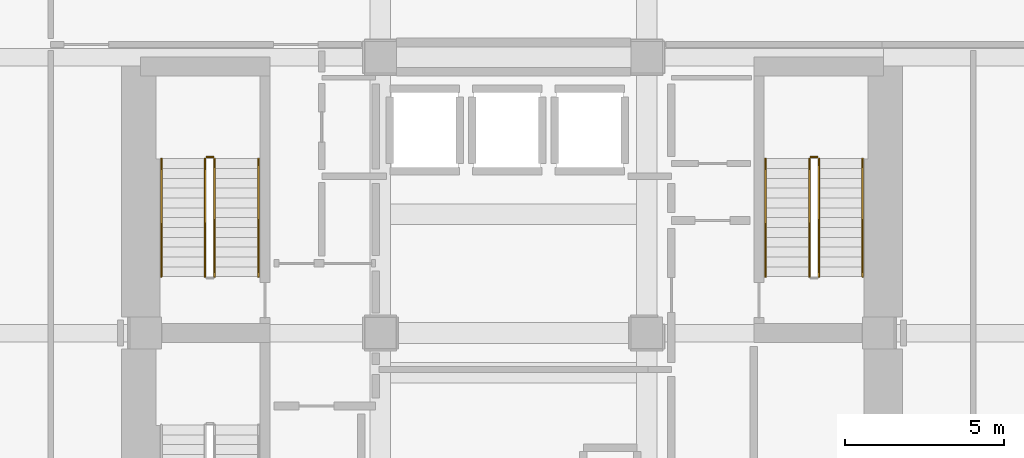
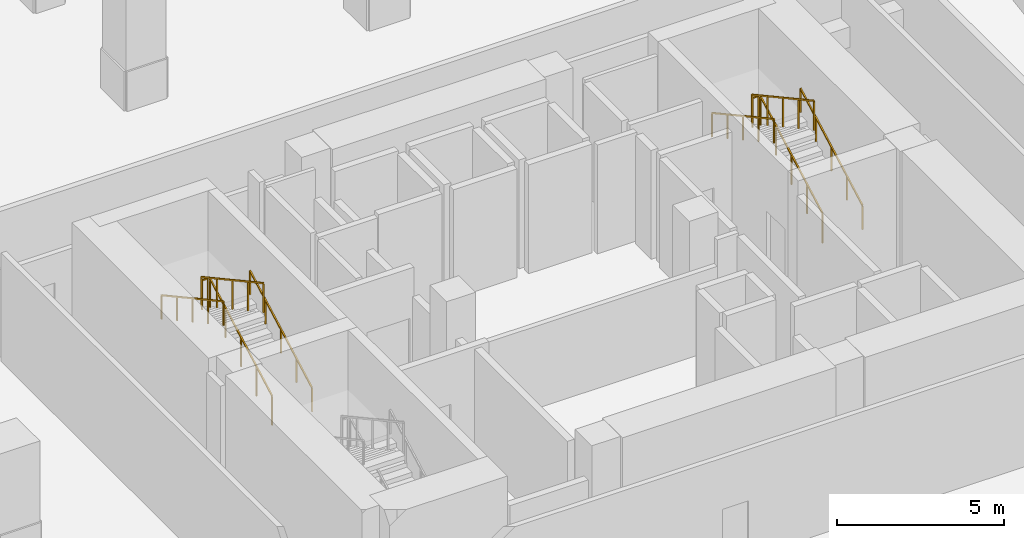
# One storey, part 21 of 22: 10 railings.
"""IFC4 building model written with IfcOpenShell, lengths in metres."""

from ifc_helpers import new_model, si_unit, direction, frame, origin, origin_2d, place, context, subcontext, project, spatial, rectangle, extrude, material, type_object, element, save


model = new_model("IFC4")

# Units and contexts
model_context = context("Model", 3, precision=1e-05, world=origin(), true_north=direction((0.0, 1.0)))
body_context = subcontext(model_context, "Body", "Model", "MODEL_VIEW")
ifc_project = project(units=[si_unit("LENGTHUNIT", "METRE"), si_unit("AREAUNIT", "SQUARE_METRE"), si_unit("VOLUMEUNIT", "CUBIC_METRE"), si_unit("PLANEANGLEUNIT", "RADIAN"), si_unit("MASSUNIT", "GRAM", prefix="KILO")], contexts=[model_context])

# Site, building, storey
site_placement = place(None, origin())
site = spatial("IfcSite", under=ifc_project, at=site_placement, CompositionType="ELEMENT")
building_placement = place(site_placement, origin())
building = spatial("IfcBuilding", under=site, at=building_placement, Name="Solanera Arch Residences", CompositionType="ELEMENT")
storey_placement = place(building_placement, frame((0.0, 0.0, -4.39990234375)))
storey = spatial("IfcBuildingStorey", under=building, at=storey_placement, Name="B01", CompositionType="ELEMENT", Elevation=-4.39990234375)

# Railings
ifc_material_1 = material(Name="Steel S355 (ASTM A992 / A572 Grade 50)", Category="steel")
railing_type_1 = type_object("IfcRailingType", Name="Stair Guardrail GR-1100", PredefinedType="GUARDRAIL", material=ifc_material_1)
railing_1_placement = place(storey_placement, frame((15.570068359375, 32.47998046875, 0.154052734375)))
element("IfcRailing", 1, at=railing_1_placement, inside=storey, type_object=railing_type_1, Name="B01 ST-T1 stair guard 1", PredefinedType="GUARDRAIL", context=body_context, shape_type="SweptSolid", body=[
    extrude(rectangle(XDim=0.048095703125, YDim=0.048095703125, at=origin_2d()), frame((0.0, 0.0, 1.076171875), z_axis=(0.0, 0.877728207833, 0.479158839191), x_axis=(-1.0, 0.0, 0.0)), (0.0, 0.0, 1.0), 4.23828125),
    extrude(rectangle(XDim=0.0419921875, YDim=0.0419921875, at=origin_2d()), origin(), (0.0, 0.0, 1.0), 1.052001953125),
    extrude(rectangle(XDim=0.0419921875, YDim=0.0419921875, at=origin_2d()), frame((0.0, 0.929931640625, 0.5078125)), (0.0, 0.0, 1.0), 1.052001953125),
    extrude(rectangle(XDim=0.0419921875, YDim=0.0419921875, at=origin_2d()), frame((0.0, 1.85986328125, 1.015380859375)), (0.0, 0.0, 1.0), 1.052001953125),
    extrude(rectangle(XDim=0.0419921875, YDim=0.0419921875, at=origin_2d()), frame((0.0, 2.7900390625, 1.52294921875)), (0.0, 0.0, 1.0), 1.052001953125),
    extrude(rectangle(XDim=0.0419921875, YDim=0.0419921875, at=origin_2d()), frame((0.0, 3.719970703125, 2.03076171875)), (0.0, 0.0, 1.0), 1.052001953125),
])
railing_2_placement = place(storey_placement, frame((15.52001953125, 36.25, 2.184814453125)))
element("IfcRailing", 2, at=railing_2_placement, inside=storey, type_object=railing_type_1, Name="B01 ST-T1 stair guard 2", PredefinedType="GUARDRAIL", context=body_context, shape_type="SweptSolid", body=[
    extrude(rectangle(XDim=0.048095703125, YDim=0.048095703125, at=origin_2d()), frame((0.0, 0.0, 1.076171875), z_axis=(-1.0, 0.0, 0.0), x_axis=(0.0, -1.0, 0.0)), (0.0, 0.0, 1.0), 0.199951171875),
    extrude(rectangle(XDim=0.0419921875, YDim=0.0419921875, at=origin_2d()), origin(), (0.0, 0.0, 1.0), 1.052001953125),
    extrude(rectangle(XDim=0.0419921875, YDim=0.0419921875, at=origin_2d()), frame((-0.199951171875, 0.0, 0.0)), (0.0, 0.0, 1.0), 1.052001953125),
])
railing_3_placement = place(storey_placement, frame((15.27001953125, 36.199951171875, 2.35400390625)))
element("IfcRailing", 3, at=railing_3_placement, inside=storey, type_object=railing_type_1, Name="B01 ST-T1 stair guard 3", PredefinedType="GUARDRAIL", context=body_context, shape_type="SweptSolid", body=[
    extrude(rectangle(XDim=0.048095703125, YDim=0.048095703125, at=origin_2d()), frame((0.0, 0.0, 1.076171875), z_axis=(0.0, -0.877703980351, 0.479203216679), x_axis=(1.0, 0.0, 0.0)), (0.0, 0.0, 1.0), 4.23828125),
    extrude(rectangle(XDim=0.0419921875, YDim=0.0419921875, at=origin_2d()), origin(), (0.0, 0.0, 1.0), 1.052001953125),
    extrude(rectangle(XDim=0.0419921875, YDim=0.0419921875, at=origin_2d()), frame((0.0, -0.929931640625, 0.5078125)), (0.0, 0.0, 1.0), 1.052001953125),
    extrude(rectangle(XDim=0.0419921875, YDim=0.0419921875, at=origin_2d()), frame((0.0, -1.85986328125, 1.015625)), (0.0, 0.0, 1.0), 1.052001953125),
    extrude(rectangle(XDim=0.0419921875, YDim=0.0419921875, at=origin_2d()), frame((0.0, -2.7900390625, 1.523193359375)), (0.0, 0.0, 1.0), 1.052001953125),
    extrude(rectangle(XDim=0.0419921875, YDim=0.0419921875, at=origin_2d()), frame((0.0, -3.719970703125, 2.031005859375)), (0.0, 0.0, 1.0), 1.052001953125),
])
railing_4_placement = place(storey_placement, frame((34.6298828125, 32.47998046875, 0.154052734375)))
element("IfcRailing", 4, at=railing_4_placement, inside=storey, type_object=railing_type_1, Name="B01 ST-T2 stair guard 1", PredefinedType="GUARDRAIL", context=body_context, shape_type="SweptSolid", body=[
    extrude(rectangle(XDim=0.048095703125, YDim=0.048095703125, at=origin_2d()), frame((0.0, 0.0, 1.076171875), z_axis=(0.0, 0.877728207833, 0.479158839191), x_axis=(-1.0, 0.0, 0.0)), (0.0, 0.0, 1.0), 4.23828125),
    extrude(rectangle(XDim=0.0419921875, YDim=0.0419921875, at=origin_2d()), origin(), (0.0, 0.0, 1.0), 1.052001953125),
    extrude(rectangle(XDim=0.0419921875, YDim=0.0419921875, at=origin_2d()), frame((0.0, 0.929931640625, 0.5078125)), (0.0, 0.0, 1.0), 1.052001953125),
    extrude(rectangle(XDim=0.0419921875, YDim=0.0419921875, at=origin_2d()), frame((0.0, 1.85986328125, 1.015380859375)), (0.0, 0.0, 1.0), 1.052001953125),
    extrude(rectangle(XDim=0.0419921875, YDim=0.0419921875, at=origin_2d()), frame((0.0, 2.7900390625, 1.52294921875)), (0.0, 0.0, 1.0), 1.052001953125),
    extrude(rectangle(XDim=0.0419921875, YDim=0.0419921875, at=origin_2d()), frame((0.0, 3.719970703125, 2.03076171875)), (0.0, 0.0, 1.0), 1.052001953125),
])
railing_5_placement = place(storey_placement, frame((34.580078125, 36.25, 2.184814453125)))
element("IfcRailing", 5, at=railing_5_placement, inside=storey, type_object=railing_type_1, Name="B01 ST-T2 stair guard 2", PredefinedType="GUARDRAIL", context=body_context, shape_type="SweptSolid", body=[
    extrude(rectangle(XDim=0.048095703125, YDim=0.048095703125, at=origin_2d()), frame((0.0, 0.0, 1.076171875), z_axis=(-1.0, 0.0, 0.0), x_axis=(0.0, -1.0, 0.0)), (0.0, 0.0, 1.0), 0.2001953125),
    extrude(rectangle(XDim=0.0419921875, YDim=0.0419921875, at=origin_2d()), origin(), (0.0, 0.0, 1.0), 1.052001953125),
    extrude(rectangle(XDim=0.0419921875, YDim=0.0419921875, at=origin_2d()), frame((-0.2001953125, 0.0, 0.0)), (0.0, 0.0, 1.0), 1.052001953125),
])
railing_6_placement = place(storey_placement, frame((34.330078125, 36.199951171875, 2.35400390625)))
element("IfcRailing", 6, at=railing_6_placement, inside=storey, type_object=railing_type_1, Name="B01 ST-T2 stair guard 3", PredefinedType="GUARDRAIL", context=body_context, shape_type="SweptSolid", body=[
    extrude(rectangle(XDim=0.048095703125, YDim=0.048095703125, at=origin_2d()), frame((0.0, 0.0, 1.076171875), z_axis=(0.0, -0.877703980351, 0.479203216679), x_axis=(1.0, 0.0, 0.0)), (0.0, 0.0, 1.0), 4.23828125),
    extrude(rectangle(XDim=0.0419921875, YDim=0.0419921875, at=origin_2d()), origin(), (0.0, 0.0, 1.0), 1.052001953125),
    extrude(rectangle(XDim=0.0419921875, YDim=0.0419921875, at=origin_2d()), frame((0.0, -0.929931640625, 0.5078125)), (0.0, 0.0, 1.0), 1.052001953125),
    extrude(rectangle(XDim=0.0419921875, YDim=0.0419921875, at=origin_2d()), frame((0.0, -1.85986328125, 1.015625)), (0.0, 0.0, 1.0), 1.052001953125),
    extrude(rectangle(XDim=0.0419921875, YDim=0.0419921875, at=origin_2d()), frame((0.0, -2.7900390625, 1.523193359375)), (0.0, 0.0, 1.0), 1.052001953125),
    extrude(rectangle(XDim=0.0419921875, YDim=0.0419921875, at=origin_2d()), frame((0.0, -3.719970703125, 2.031005859375)), (0.0, 0.0, 1.0), 1.052001953125),
])
ifc_material_2 = material(Name="Steel S355 (ASTM A992 / A572 Grade 50)", Category="steel")
railing_type_2 = type_object("IfcRailingType", Name="Stair Wall Handrail HR-920", PredefinedType="HANDRAIL", material=ifc_material_2)
railing_7_placement = place(storey_placement, frame((16.949951171875, 32.47998046875, 0.169189453125)))
element("IfcRailing", 7, at=railing_7_placement, inside=storey, type_object=railing_type_2, Name="B01 ST-T1 stair handrail 1", PredefinedType="HANDRAIL", context=body_context, shape_type="SweptSolid", body=[
    extrude(rectangle(XDim=0.048095703125, YDim=0.048095703125, at=origin_2d()), frame((0.0, 0.0, 0.8759765625), z_axis=(0.0, 0.877728207833, 0.479158839191), x_axis=(-1.0, 0.0, 0.0)), (0.0, 0.0, 1.0), 4.23828125),
    extrude(rectangle(XDim=0.0419921875, YDim=0.0419921875, at=origin_2d()), origin(), (0.0, 0.0, 1.0), 0.851806640625),
    extrude(rectangle(XDim=0.0419921875, YDim=0.0419921875, at=origin_2d()), frame((0.0, 0.929931640625, 0.5078125)), (0.0, 0.0, 1.0), 0.851806640625),
    extrude(rectangle(XDim=0.0419921875, YDim=0.0419921875, at=origin_2d()), frame((0.0, 1.85986328125, 1.015380859375)), (0.0, 0.0, 1.0), 0.851806640625),
    extrude(rectangle(XDim=0.0419921875, YDim=0.0419921875, at=origin_2d()), frame((0.0, 2.7900390625, 1.52294921875)), (0.0, 0.0, 1.0), 0.851806640625),
    extrude(rectangle(XDim=0.0419921875, YDim=0.0419921875, at=origin_2d()), frame((0.0, 3.719970703125, 2.03076171875)), (0.0, 0.0, 1.0), 0.851806640625),
])
railing_8_placement = place(storey_placement, frame((13.889892578125, 36.199951171875, 2.369140625)))
element("IfcRailing", 8, at=railing_8_placement, inside=storey, type_object=railing_type_2, Name="B01 ST-T1 stair handrail 2", PredefinedType="HANDRAIL", context=body_context, shape_type="SweptSolid", body=[
    extrude(rectangle(XDim=0.048095703125, YDim=0.048095703125, at=origin_2d()), frame((0.0, 0.0, 0.8759765625), z_axis=(0.0, -0.877728207833, 0.479158839191), x_axis=(1.0, 0.0, 0.0)), (0.0, 0.0, 1.0), 4.23828125),
    extrude(rectangle(XDim=0.0419921875, YDim=0.0419921875, at=origin_2d()), origin(), (0.0, 0.0, 1.0), 0.851806640625),
    extrude(rectangle(XDim=0.0419921875, YDim=0.0419921875, at=origin_2d()), frame((0.0, -0.929931640625, 0.5078125)), (0.0, 0.0, 1.0), 0.851806640625),
    extrude(rectangle(XDim=0.0419921875, YDim=0.0419921875, at=origin_2d()), frame((0.0, -1.85986328125, 1.015380859375)), (0.0, 0.0, 1.0), 0.851806640625),
    extrude(rectangle(XDim=0.0419921875, YDim=0.0419921875, at=origin_2d()), frame((0.0, -2.7900390625, 1.52294921875)), (0.0, 0.0, 1.0), 0.851806640625),
    extrude(rectangle(XDim=0.0419921875, YDim=0.0419921875, at=origin_2d()), frame((0.0, -3.719970703125, 2.03076171875)), (0.0, 0.0, 1.0), 0.851806640625),
])
railing_9_placement = place(storey_placement, frame((36.010009765625, 32.47998046875, 0.169189453125)))
element("IfcRailing", 9, at=railing_9_placement, inside=storey, type_object=railing_type_2, Name="B01 ST-T2 stair handrail 1", PredefinedType="HANDRAIL", context=body_context, shape_type="SweptSolid", body=[
    extrude(rectangle(XDim=0.048095703125, YDim=0.048095703125, at=origin_2d()), frame((0.0, 0.0, 0.8759765625), z_axis=(0.0, 0.877728207833, 0.479158839191), x_axis=(-1.0, 0.0, 0.0)), (0.0, 0.0, 1.0), 4.23828125),
    extrude(rectangle(XDim=0.0419921875, YDim=0.0419921875, at=origin_2d()), origin(), (0.0, 0.0, 1.0), 0.851806640625),
    extrude(rectangle(XDim=0.0419921875, YDim=0.0419921875, at=origin_2d()), frame((0.0, 0.929931640625, 0.5078125)), (0.0, 0.0, 1.0), 0.851806640625),
    extrude(rectangle(XDim=0.0419921875, YDim=0.0419921875, at=origin_2d()), frame((0.0, 1.85986328125, 1.015380859375)), (0.0, 0.0, 1.0), 0.851806640625),
    extrude(rectangle(XDim=0.0419921875, YDim=0.0419921875, at=origin_2d()), frame((0.0, 2.7900390625, 1.52294921875)), (0.0, 0.0, 1.0), 0.851806640625),
    extrude(rectangle(XDim=0.0419921875, YDim=0.0419921875, at=origin_2d()), frame((0.0, 3.719970703125, 2.03076171875)), (0.0, 0.0, 1.0), 0.851806640625),
])
railing_10_placement = place(storey_placement, frame((32.949951171875, 36.199951171875, 2.369140625)))
element("IfcRailing", 10, at=railing_10_placement, inside=storey, type_object=railing_type_2, Name="B01 ST-T2 stair handrail 2", PredefinedType="HANDRAIL", context=body_context, shape_type="SweptSolid", body=[
    extrude(rectangle(XDim=0.048095703125, YDim=0.048095703125, at=origin_2d()), frame((0.0, 0.0, 0.8759765625), z_axis=(0.0, -0.877728207833, 0.479158839191), x_axis=(1.0, 0.0, 0.0)), (0.0, 0.0, 1.0), 4.23828125),
    extrude(rectangle(XDim=0.0419921875, YDim=0.0419921875, at=origin_2d()), origin(), (0.0, 0.0, 1.0), 0.851806640625),
    extrude(rectangle(XDim=0.0419921875, YDim=0.0419921875, at=origin_2d()), frame((0.0, -0.929931640625, 0.5078125)), (0.0, 0.0, 1.0), 0.851806640625),
    extrude(rectangle(XDim=0.0419921875, YDim=0.0419921875, at=origin_2d()), frame((0.0, -1.85986328125, 1.015380859375)), (0.0, 0.0, 1.0), 0.851806640625),
    extrude(rectangle(XDim=0.0419921875, YDim=0.0419921875, at=origin_2d()), frame((0.0, -2.7900390625, 1.52294921875)), (0.0, 0.0, 1.0), 0.851806640625),
    extrude(rectangle(XDim=0.0419921875, YDim=0.0419921875, at=origin_2d()), frame((0.0, -3.719970703125, 2.03076171875)), (0.0, 0.0, 1.0), 0.851806640625),
])

save(model, "model.ifc")
